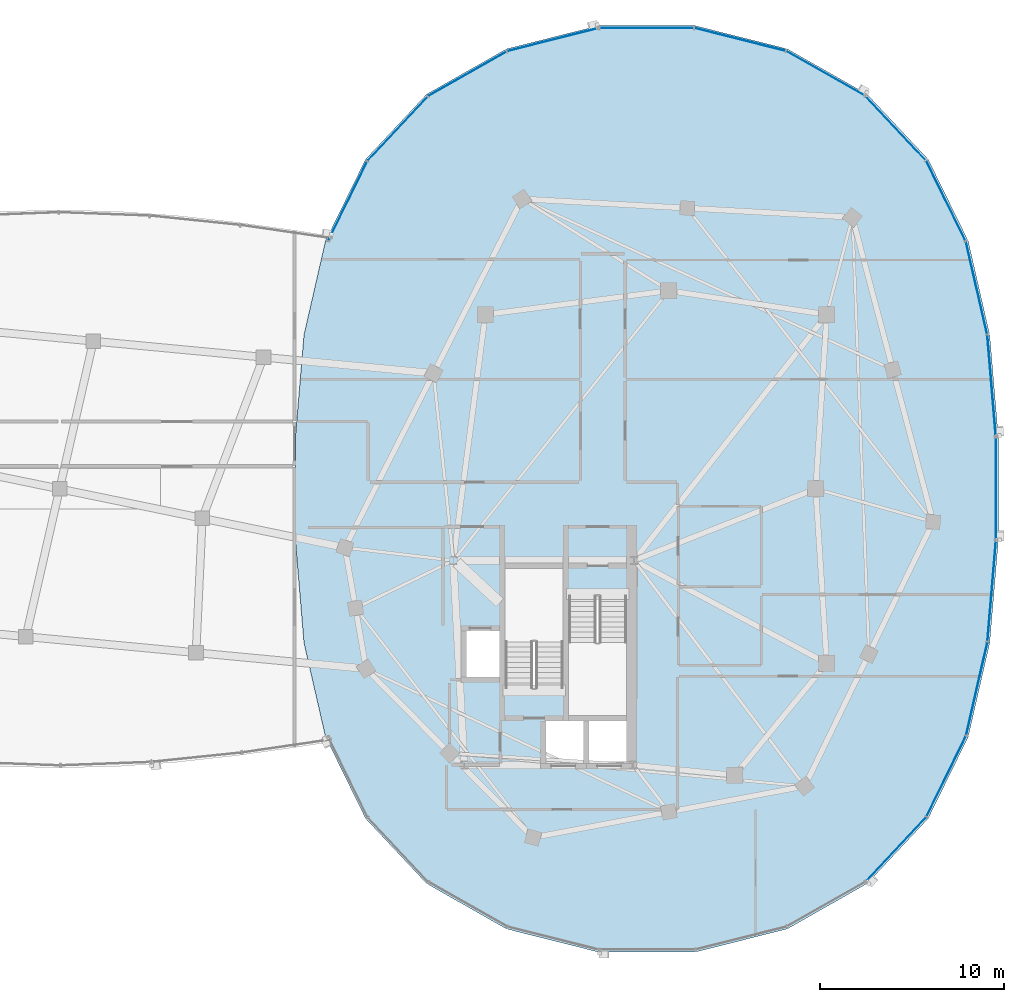
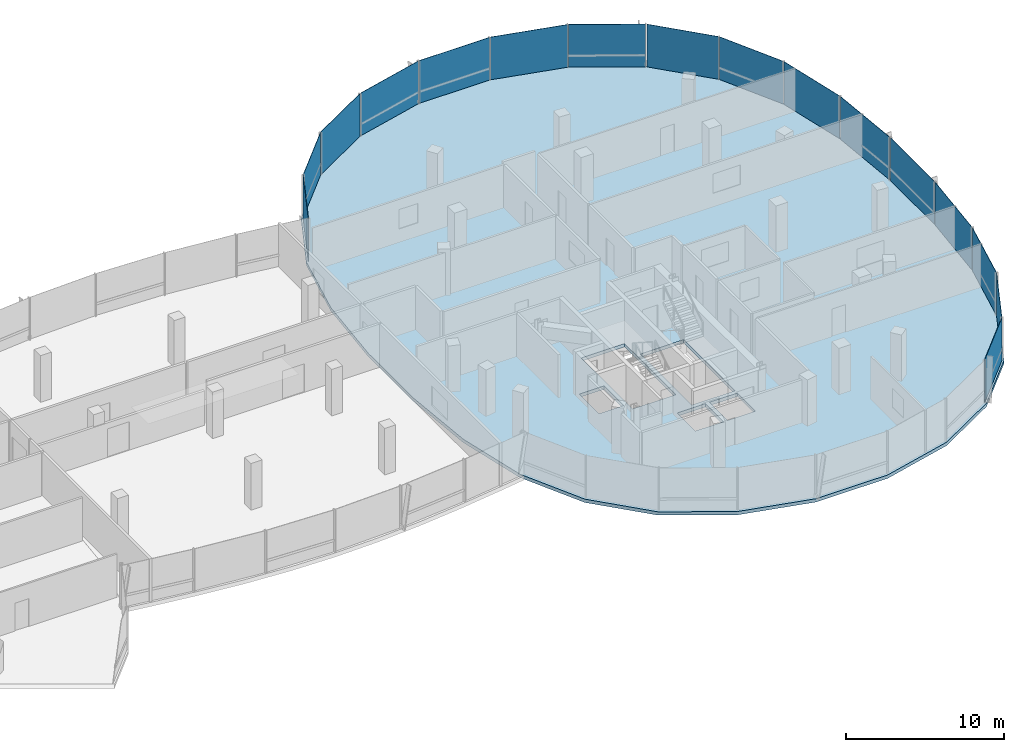
# One storey, part 13 of 26: 16 plates, 1 slab, 3 elements without a shape of their own.
"""IFC4 building model written with IfcOpenShell, lengths in metres."""

from ifc_helpers import new_model, si_unit, direction, frame, origin, origin_2d, place, context, subcontext, project, spatial, polyline, rectangle, outline, extrude, material, layer, layer_set, type_object, element, aggregate, save


model = new_model("IFC4")

# Units and contexts
model_context = context("Model", 3, precision=1e-05, world=origin(), true_north=direction((0.0, 1.0)))
body_context = subcontext(model_context, "Body", "Model", "MODEL_VIEW")
ifc_project = project(units=[si_unit("LENGTHUNIT", "METRE"), si_unit("AREAUNIT", "SQUARE_METRE"), si_unit("VOLUMEUNIT", "CUBIC_METRE"), si_unit("PLANEANGLEUNIT", "RADIAN"), si_unit("MASSUNIT", "GRAM", prefix="KILO"), si_unit("THERMODYNAMICTEMPERATUREUNIT", "KELVIN"), si_unit("POWERUNIT", "WATT")], contexts=[model_context])

# Site, building, storey
site_placement = place(None, origin())
site = spatial("IfcSite", under=ifc_project, at=site_placement, CompositionType="ELEMENT")
building_placement = place(site_placement, origin())
building = spatial("IfcBuilding", under=site, at=building_placement, Name="Cundina Bronze Exchange", CompositionType="ELEMENT")
storey_placement = place(building_placement, frame((0.0, 0.0, 243.199951171875)))
storey = spatial("IfcBuildingStorey", under=building, at=storey_placement, Name="L64", CompositionType="ELEMENT", Elevation=243.199951171875)

# Curtain wall, plates
ifc_material_1 = material(Name="Anodised Bronze Aluminium 6063-T6", Category="aluminium")
curtain_wall_type = type_object("IfcCurtainWallType", Name="CWS-SKG-BRG", PredefinedType="NOTDEFINED", material=ifc_material_1)
curtain_wall_1_placement = place(storey_placement, origin())
curtain_wall_1 = element("IfcCurtainWall", 1, at=curtain_wall_1_placement, inside=storey, type_object=curtain_wall_type, Name="L64 CW-06 Curtain Wall Run CWR-L64-E1", PredefinedType="NOTDEFINED")
ifc_material_2 = material(Name="Heat-Strengthened Solar-Control Bronze Safety Glass 28mm", Category="glass")
ifc_layer_1 = layer(ifc_material_2, 0.028076171875, Name="Heat-Strengthened Solar-Control Bronze Safety Glass 28mm", Category="glass")
ifc_layer_set_1 = layer_set([ifc_layer_1], Name="Heat-Strengthened Solar-Control Bronze Safety Glass 28mm")
plate_type_1 = type_object("IfcPlateType", Name="PLT-GLZ-VIS28", PredefinedType="CURTAIN_PANEL", material=ifc_layer_set_1)
plate_1_placement = place(storey_placement, frame((49.96923828125, 10.922607421875, 0.02001953125), z_axis=(0.0, 0.0, 1.0), x_axis=(-0.223284141459, 0.974753400698, 0.0)))
plate_1 = element("IfcPlate", 2, at=plate_1_placement, type_object=plate_type_1, Name="CW-06 Glazed Panel 2", PredefinedType="CURTAIN_PANEL", context=body_context, shape_type="SweptSolid", body=[
    extrude(rectangle(XDim=5.167724609375, YDim=0.028076171875, at=origin_2d()), origin(), (0.0, 0.0, 1.0), 3.300048828125),
])
plate_2_placement = place(storey_placement, frame((48.30126953125, 15.68017578125, 0.02001953125), z_axis=(0.0, 0.0, 1.0), x_axis=(-0.440503330345, 0.897750976582, 0.0)))
plate_2 = element("IfcPlate", 3, at=plate_2_placement, type_object=plate_type_1, Name="CW-06 Glazed Panel 3", PredefinedType="CURTAIN_PANEL", context=body_context, shape_type="SweptSolid", body=[
    extrude(rectangle(XDim=4.863525390625, YDim=0.028076171875, at=origin_2d()), origin(), (0.0, 0.0, 1.0), 3.300048828125),
])
plate_3_placement = place(storey_placement, frame((45.568115234375, 19.64501953125, 0.02001953125), z_axis=(0.0, 0.0, 1.0), x_axis=(-0.684343512797, 0.72915976061, 0.0)))
plate_3 = element("IfcPlate", 4, at=plate_3_placement, type_object=plate_type_1, Name="CW-06 Glazed Panel 4", PredefinedType="CURTAIN_PANEL", context=body_context, shape_type="SweptSolid", body=[
    extrude(rectangle(XDim=4.773193359375, YDim=0.028076171875, at=origin_2d()), origin(), (0.0, 0.0, 1.0), 3.300048828125),
])
plate_4_placement = place(storey_placement, frame((41.76171875, 22.6279296875, 0.02001953125), z_axis=(0.0, 0.0, 1.0), x_axis=(-0.869572506985, 0.493805280547, 0.0)))
plate_4 = element("IfcPlate", 5, at=plate_4_placement, type_object=plate_type_1, Name="CW-06 Glazed Panel 5", PredefinedType="CURTAIN_PANEL", context=body_context, shape_type="SweptSolid", body=[
    extrude(rectangle(XDim=4.907958984375, YDim=0.028076171875, at=origin_2d()), origin(), (0.0, 0.0, 1.0), 3.300048828125),
])
plate_5_placement = place(storey_placement, frame((32.0, 25.110107421875, 0.02001953125), z_axis=(0.0, 0.0, 1.0), x_axis=(-1.0, 0.0, 0.0)))
plate_5 = element("IfcPlate", 6, at=plate_5_placement, type_object=plate_type_1, Name="CW-06 Glazed Panel 7", PredefinedType="CURTAIN_PANEL", context=body_context, shape_type="SweptSolid", body=[
    extrude(rectangle(XDim=5.16796875, YDim=0.028076171875, at=origin_2d()), origin(), (0.0, 0.0, 1.0), 3.300048828125),
])

curtain_wall_2_placement = place(storey_placement, origin())
curtain_wall_2 = element("IfcCurtainWall", 7, at=curtain_wall_2_placement, inside=storey, type_object=curtain_wall_type, Name="L64 CW-06 Curtain Wall Run CWR-L64-E2", PredefinedType="NOTDEFINED")
plate_6_placement = place(storey_placement, frame((26.890625, 24.4814453125, 0.02001953125), z_axis=(0.0, 0.0, 1.0), x_axis=(-0.969731542251, -0.244173577528, 0.0)))
plate_6 = element("IfcPlate", 8, at=plate_6_placement, type_object=plate_type_1, Name="CW-06 Glazed Panel 1", PredefinedType="CURTAIN_PANEL", context=body_context, shape_type="SweptSolid", body=[
    extrude(rectangle(XDim=5.0908203125, YDim=0.028076171875, at=origin_2d()), origin(), (0.0, 0.0, 1.0), 3.300048828125),
])
plate_7_placement = place(storey_placement, frame((22.23828125, 22.6279296875, 0.02001953125), z_axis=(0.0, 0.0, 1.0), x_axis=(-0.869572506985, -0.493805280547, 0.0)))
plate_7 = element("IfcPlate", 9, at=plate_7_placement, type_object=plate_type_1, Name="CW-06 Glazed Panel 2", PredefinedType="CURTAIN_PANEL", context=body_context, shape_type="SweptSolid", body=[
    extrude(rectangle(XDim=4.907958984375, YDim=0.028076171875, at=origin_2d()), origin(), (0.0, 0.0, 1.0), 3.300048828125),
])
plate_8_placement = place(storey_placement, frame((18.431884765625, 19.64501953125, 0.02001953125), z_axis=(0.0, 0.0, 1.0), x_axis=(-0.684343512797, -0.72915976061, 0.0)))
plate_8 = element("IfcPlate", 10, at=plate_8_placement, type_object=plate_type_1, Name="CW-06 Glazed Panel 3", PredefinedType="CURTAIN_PANEL", context=body_context, shape_type="SweptSolid", body=[
    extrude(rectangle(XDim=4.773193359375, YDim=0.028076171875, at=origin_2d()), origin(), (0.0, 0.0, 1.0), 3.300048828125),
])
plate_9_placement = place(storey_placement, frame((15.69873046875, 15.68017578125, 0.02001953125), z_axis=(0.0, 0.0, 1.0), x_axis=(-0.440503330345, -0.897750976582, 0.0)))
plate_9 = element("IfcPlate", 11, at=plate_9_placement, type_object=plate_type_1, Name="CW-06 Glazed Panel 4", PredefinedType="CURTAIN_PANEL", context=body_context, shape_type="SweptSolid", body=[
    extrude(rectangle(XDim=4.863525390625, YDim=0.028076171875, at=origin_2d()), origin(), (0.0, 0.0, 1.0), 3.300048828125),
])
aggregate(curtain_wall_2, [plate_6, plate_7, plate_8, plate_9])

curtain_wall_3_placement = place(storey_placement, origin())
curtain_wall_3 = element("IfcCurtainWall", 12, at=curtain_wall_3_placement, inside=storey, type_object=curtain_wall_type, Name="L64 CW-06 Curtain Wall Run CWR-L64-E4", PredefinedType="NOTDEFINED")
plate_10_placement = place(storey_placement, frame((45.568115234375, -19.64501953125, 0.02001953125), z_axis=(0.0, 0.0, 1.0), x_axis=(0.684343512797, 0.72915976061, 0.0)))
plate_10 = element("IfcPlate", 13, at=plate_10_placement, type_object=plate_type_1, Name="CW-06 Glazed Panel 1", PredefinedType="CURTAIN_PANEL", context=body_context, shape_type="SweptSolid", body=[
    extrude(rectangle(XDim=4.773193359375, YDim=0.028076171875, at=origin_2d()), origin(), (0.0, 0.0, 1.0), 3.300048828125),
])
plate_11_placement = place(storey_placement, frame((48.30126953125, -15.68017578125, 0.02001953125), z_axis=(0.0, 0.0, 1.0), x_axis=(0.440503330345, 0.897750976582, 0.0)))
plate_11 = element("IfcPlate", 14, at=plate_11_placement, type_object=plate_type_1, Name="CW-06 Glazed Panel 2", PredefinedType="CURTAIN_PANEL", context=body_context, shape_type="SweptSolid", body=[
    extrude(rectangle(XDim=4.863525390625, YDim=0.028076171875, at=origin_2d()), origin(), (0.0, 0.0, 1.0), 3.300048828125),
])
plate_12_placement = place(storey_placement, frame((50.78662109375, -5.605712890625, 0.02001953125), z_axis=(0.0, 0.0, 1.0), x_axis=(0.083747411454, 0.996487015006, 0.0)))
plate_12 = element("IfcPlate", 15, at=plate_12_placement, type_object=plate_type_1, Name="CW-06 Glazed Panel 4", PredefinedType="CURTAIN_PANEL", context=body_context, shape_type="SweptSolid", body=[
    extrude(rectangle(XDim=5.474609375, YDim=0.028076171875, at=origin_2d()), origin(), (0.0, 0.0, 1.0), 3.300048828125),
])
plate_13_placement = place(storey_placement, frame((51.01904296875, 0.0, 0.02001953125), z_axis=(0.0, 0.0, 1.0), x_axis=(0.0, 1.0, 0.0)))
plate_13 = element("IfcPlate", 16, at=plate_13_placement, type_object=plate_type_1, Name="CW-06 Glazed Panel 5", PredefinedType="CURTAIN_PANEL", context=body_context, shape_type="SweptSolid", body=[
    extrude(rectangle(XDim=5.597900390625, YDim=0.028076171875, at=origin_2d()), origin(), (0.0, 0.0, 1.0), 3.300048828125),
])

# Plate
ifc_material_3 = material(Name="Dark Bronze Spandrel Glass Panel 32mm", Category="glass")
ifc_layer_2 = layer(ifc_material_3, 0.031982421875, Name="Dark Bronze Spandrel Glass Panel 32mm", Category="glass")
ifc_layer_set_2 = layer_set([ifc_layer_2], Name="Dark Bronze Spandrel Glass Panel 32mm")
plate_type_2 = type_object("IfcPlateType", Name="PLT-SPN-BRZ32", PredefinedType="CURTAIN_PANEL", material=ifc_layer_set_2)
plate_14_placement = place(storey_placement, frame((50.78662109375, 5.605712890625, 0.02001953125), z_axis=(0.0, 0.0, 1.0), x_axis=(-0.083747411454, 0.996487015006, 0.0)))
plate_14 = element("IfcPlate", 17, at=plate_14_placement, type_object=plate_type_2, Name="CW-06 Glazed Panel 1", PredefinedType="CURTAIN_PANEL", context=body_context, shape_type="SweptSolid", body=[
    extrude(rectangle(XDim=5.474609375, YDim=0.031982421875, at=origin_2d()), origin(), (0.0, 0.0, 1.0), 3.300048828125),
])

plate_15_placement = place(storey_placement, frame((37.109375, 24.4814453125, 0.02001953125), z_axis=(0.0, 0.0, 1.0), x_axis=(-0.969731542251, 0.244173577528, 0.0)))
plate_15 = element("IfcPlate", 18, at=plate_15_placement, type_object=plate_type_2, Name="CW-06 Glazed Panel 6", PredefinedType="CURTAIN_PANEL", context=body_context, shape_type="SweptSolid", body=[
    extrude(rectangle(XDim=5.0908203125, YDim=0.031982421875, at=origin_2d()), origin(), (0.0, 0.0, 1.0), 3.300048828125),
])

aggregate(curtain_wall_1, [plate_14, plate_1, plate_2, plate_3, plate_4, plate_15, plate_5])

plate_16_placement = place(storey_placement, frame((49.96923828125, -10.922607421875, 0.02001953125), z_axis=(0.0, 0.0, 1.0), x_axis=(0.223284141459, 0.974753400698, 0.0)))
plate_16 = element("IfcPlate", 19, at=plate_16_placement, type_object=plate_type_2, Name="CW-06 Glazed Panel 3", PredefinedType="CURTAIN_PANEL", context=body_context, shape_type="SweptSolid", body=[
    extrude(rectangle(XDim=5.167724609375, YDim=0.031982421875, at=origin_2d()), origin(), (0.0, 0.0, 1.0), 3.300048828125),
])

aggregate(curtain_wall_3, [plate_10, plate_11, plate_16, plate_12, plate_13])

# Slab
ifc_material_4 = material(Name="Concrete C50/60", Category="concrete")
ifc_layer_3 = layer(ifc_material_4, 0.260009765625, Name="Concrete C50/60", Category="concrete")
ifc_layer_set_3 = layer_set([ifc_layer_3], Name="Concrete C50/60")
slab_type = type_object("IfcSlabType", Name="SLB-OFF-260", PredefinedType="FLOOR", material=ifc_layer_set_3)
slab_placement = place(storey_placement, frame((0.0, 0.0, -0.260009765625)))
element("IfcSlab", 20, at=slab_placement, inside=storey, type_object=slab_type, Name="L64 Leg E Structural Floor Slab", PredefinedType="FLOOR", context=body_context, shape_type="SweptSolid", body=[
    extrude(outline(polyline([(51.14892578125, 2.843994140625), (50.68310546875, 8.388916015625), (49.509033203125, 13.513916015625), (47.326904296875, 17.9609375), (43.9990234375, 21.507080078125), (39.653076171875, 23.97509765625), (34.62890625, 25.239990234375), (29.37109375, 25.239990234375), (24.346923828125, 23.97509765625), (20.0009765625, 21.507080078125), (16.673095703125, 17.9609375), (14.490966796875, 13.513916015625), (13.31689453125, 8.388916015625), (12.85107421875, 2.843994140625), (12.85107421875, -2.843994140625), (13.31689453125, -8.388916015625), (14.490966796875, -13.513916015625), (16.673095703125, -17.9609375), (20.0009765625, -21.507080078125), (24.346923828125, -23.97509765625), (29.37109375, -25.239990234375), (34.62890625, -25.239990234375), (39.653076171875, -23.97509765625), (43.9990234375, -21.507080078125), (47.326904296875, -17.9609375), (49.509033203125, -13.513916015625), (50.68310546875, -8.388916015625), (51.14892578125, -2.843994140625), (51.14892578125, 2.843994140625)]), holes=[polyline([(27.739990234375, -5.85009765625), (27.739990234375, -12.35009765625), (30.89990234375, -12.35009765625), (30.89990234375, -5.85009765625), (27.739990234375, -5.85009765625)]), polyline([(27.43994140625, -10.85009765625), (27.43994140625, -4.35009765625), (24.280029296875, -4.35009765625), (24.280029296875, -10.85009765625), (27.43994140625, -10.85009765625)]), polyline([(22.179931640625, -7.75), (23.97998046875, -7.75), (23.97998046875, -10.25), (22.179931640625, -10.25), (22.179931640625, -7.75)]), polyline([(28.85009765625, -12.64990234375), (30.89990234375, -12.64990234375), (30.89990234375, -14.949951171875), (28.85009765625, -14.949951171875), (28.85009765625, -12.64990234375)]), polyline([(26.5, -12.64990234375), (28.550048828125, -12.64990234375), (28.550048828125, -14.949951171875), (26.5, -14.949951171875), (26.5, -12.64990234375)])]), origin(), (0.0, 0.0, 1.0), 0.260009765625),
])

save(model, "model.ifc")
